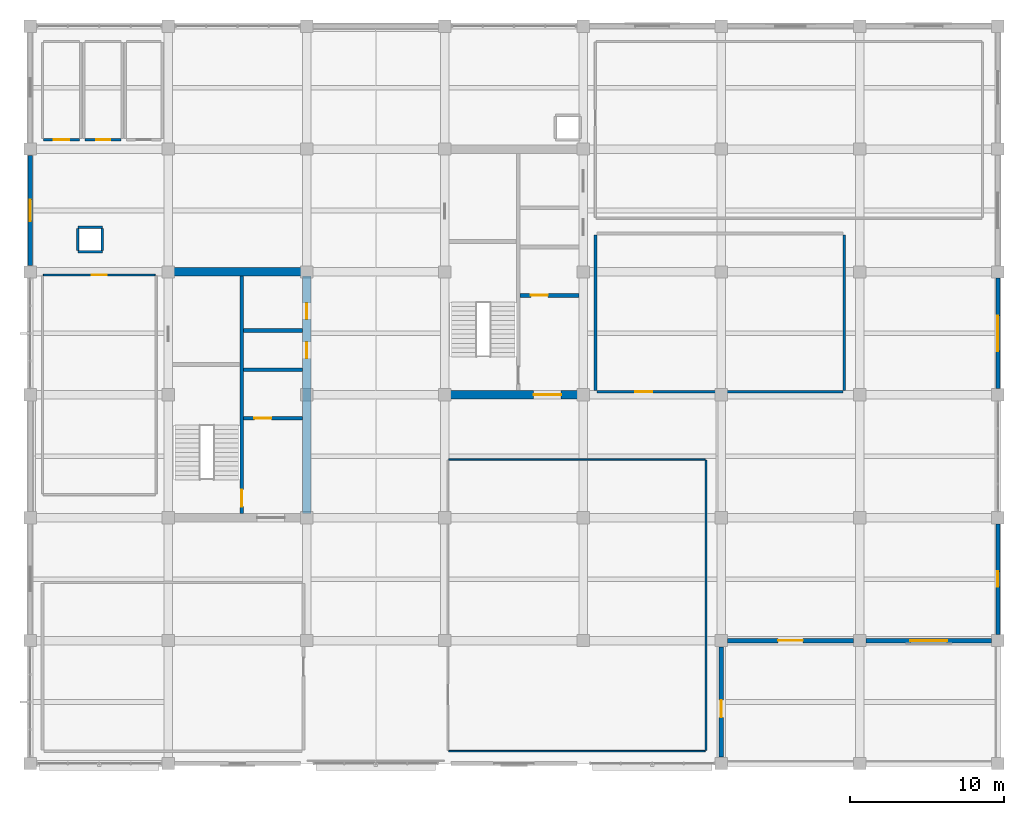
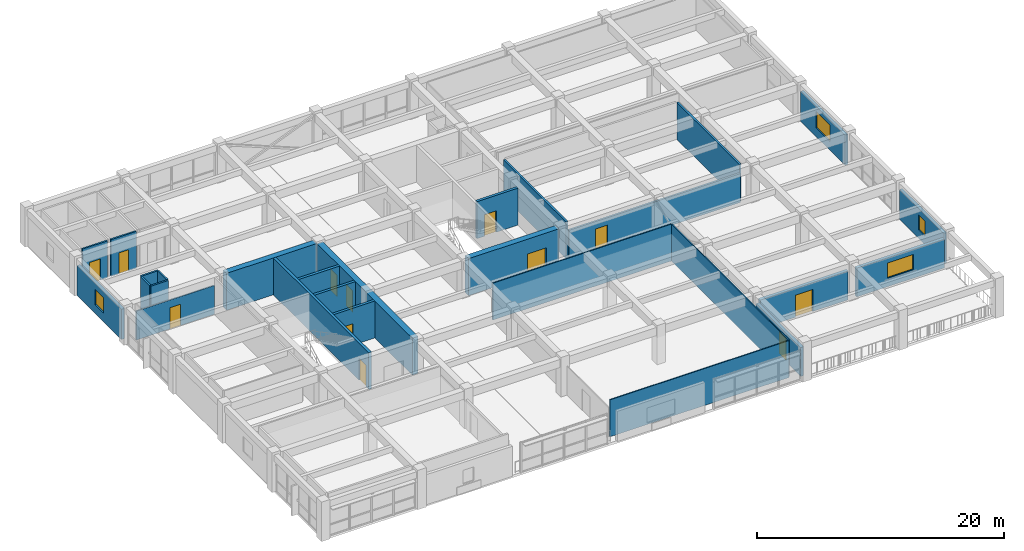
# One storey, part 13 of 17: 27 walls, 12 doors, 4 windows, 16 openings.
"""IFC4 building model written with IfcOpenShell, lengths in metres."""

from ifc_helpers import new_model, si_unit, direction, frame, frame_2d, origin, place, context, subcontext, project, spatial, rectangle, extrude, material, layer, layer_set, type_object, element, fill, save


model = new_model("IFC4")

# Units and contexts
model_context = context("Model", 3, precision=1e-05, world=origin(), true_north=direction((0.0, 1.0)))
body_context = subcontext(model_context, "Body", "Model", "MODEL_VIEW")
ifc_project = project(units=[si_unit("LENGTHUNIT", "METRE"), si_unit("AREAUNIT", "SQUARE_METRE"), si_unit("VOLUMEUNIT", "CUBIC_METRE"), si_unit("PLANEANGLEUNIT", "RADIAN"), si_unit("MASSUNIT", "GRAM", prefix="KILO")], contexts=[model_context])

# Site, building, storey
site_placement = place(None, origin())
site = spatial("IfcSite", under=ifc_project, at=site_placement, CompositionType="ELEMENT")
building_placement = place(site_placement, origin())
building = spatial("IfcBuilding", under=site, at=building_placement, Name="Zaverband Oceanarium and Marine Research Institute", CompositionType="ELEMENT")
storey_placement = place(building_placement, frame((0.0, 0.0, 33.60009765625)))
storey = spatial("IfcBuildingStorey", under=building, at=storey_placement, Name="L08", CompositionType="ELEMENT", Elevation=33.60009765625)

# Wall
ifc_material_1 = material(Name="Concrete C50/60", Category="concrete")
ifc_layer_1 = layer(ifc_material_1, 0.550048828125, Name="Concrete C50/60")
ifc_layer_set_1 = layer_set([ifc_layer_1], Name="Concrete C50/60")
wall_type_1 = type_object("IfcWallType", Name="CW-01", PredefinedType="SHEAR", material=ifc_layer_set_1)
wall_1_placement = place(storey_placement, frame((18.27490234375, 96.0, 0.0), z_axis=(0.0, 0.0, 1.0), x_axis=(1.0, 0.0, 0.0)))
element("IfcWall", 1, at=wall_1_placement, inside=storey, type_object=wall_type_1, Name="Structural shear wall CW-01", PredefinedType="SHEAR", context=body_context, shape_type="SweptSolid", body=[
    extrude(rectangle(XDim=8.4501953125, YDim=0.550048828125, at=frame_2d((4.22509765625, 0.0))), origin(), (0.0, 0.0, 1.0), 3.64990234375),
])

# Wall, openings, doors
wall_2_placement = place(storey_placement, frame((27.0, 80.27490234375, 0.0), z_axis=(0.0, 0.0, 1.0), x_axis=(0.0, 1.0, 0.0)))
wall_2 = element("IfcWall", 2, at=wall_2_placement, inside=storey, type_object=wall_type_1, Name="Structural shear wall CW-01", PredefinedType="SHEAR", context=body_context, shape_type="SweptSolid", body=[
    extrude(rectangle(XDim=15.4501953125, YDim=0.550048828125, at=frame_2d((7.72509765625, 0.0))), origin(), (0.0, 0.0, 1.0), 3.64990234375),
])
opening_1_placement = place(wall_2_placement, frame((10.10009765625, 0.0, 0.0)))
opening_1 = element("IfcOpeningElement", 3, at=opening_1_placement, cuts=wall_2, Name="Opening LD-02", PredefinedType="OPENING", context=body_context, shape_type="SweptSolid", body=[
    extrude(rectangle(XDim=1.050048828125, YDim=2.1201171875, at=frame_2d((0.52490234375, 1.06005859375))), frame((0.0, 0.287109375, 0.0), z_axis=(0.0, -1.0, 0.0), x_axis=(1.0, 0.0, 0.0)), (0.0, 0.0, 1.0), 0.573974609375),
])
opening_2_placement = place(wall_2_placement, frame((12.64990234375, 0.0, 0.0)))
opening_2 = element("IfcOpeningElement", 4, at=opening_2_placement, cuts=wall_2, Name="Opening LD-02", PredefinedType="OPENING", context=body_context, shape_type="SweptSolid", body=[
    extrude(rectangle(XDim=1.050048828125, YDim=2.1201171875, at=frame_2d((0.52490234375, 1.06005859375))), frame((0.0, 0.287109375, 0.0), z_axis=(0.0, -1.0, 0.0), x_axis=(1.0, 0.0, 0.0)), (0.0, 0.0, 1.0), 0.573974609375),
])
ifc_material_2 = material(Name="Steel S355", Category="steel")
door_type_1 = type_object("IfcDoorType", Name="LD-02", OperationType="DOUBLE_DOOR_SLIDING", PredefinedType="DOOR", material=ifc_material_2)
door_1_placement = place(opening_1_placement, origin())
door_1 = element("IfcDoor", 5, at=door_1_placement, inside=storey, type_object=door_type_1, Name="Passenger lift sliding landing door LD-02", OperationType="DOUBLE_DOOR_SLIDING", OverallHeight=2.1201171875, OverallWidth=1.050048828125, PredefinedType="DOOR", context=body_context, shape_type="SweptSolid", body=[
    extrude(rectangle(XDim=1.050048828125, YDim=2.1201171875, at=frame_2d((0.52490234375, 1.06005859375))), frame((0.0, 0.02490234375, 0.0), z_axis=(0.0, -1.0, 0.0), x_axis=(1.0, 0.0, 0.0)), (0.0, 0.0, 1.0), 0.050048828125),
])
fill(opening_1, door_1)
door_2_placement = place(opening_2_placement, origin())
door_2 = element("IfcDoor", 6, at=door_2_placement, inside=storey, type_object=door_type_1, Name="Passenger lift sliding landing door LD-02", OperationType="DOUBLE_DOOR_SLIDING", OverallHeight=2.1201171875, OverallWidth=1.050048828125, PredefinedType="DOOR", context=body_context, shape_type="SweptSolid", body=[
    extrude(rectangle(XDim=1.050048828125, YDim=2.1201171875, at=frame_2d((0.52490234375, 1.06005859375))), frame((0.0, 0.02490234375, 0.0), z_axis=(0.0, -1.0, 0.0), x_axis=(1.0, 0.0, 0.0)), (0.0, 0.0, 1.0), 0.050048828125),
])
fill(opening_2, door_2)

# Wall, opening, door
wall_3_placement = place(storey_placement, frame((36.27490234375, 88.0, 0.0), z_axis=(0.0, 0.0, 1.0), x_axis=(1.0, 0.0, 0.0)))
wall_3 = element("IfcWall", 7, at=wall_3_placement, inside=storey, type_object=wall_type_1, Name="Structural shear wall CW-01", PredefinedType="SHEAR", context=body_context, shape_type="SweptSolid", body=[
    extrude(rectangle(XDim=8.4501953125, YDim=0.550048828125, at=frame_2d((4.22509765625, 0.0))), origin(), (0.0, 0.0, 1.0), 3.64990234375),
])
opening_3_placement = place(wall_3_placement, frame((5.5, 0.0, 0.0)))
opening_3 = element("IfcOpeningElement", 8, at=opening_3_placement, cuts=wall_3, Name="Opening FD-02", PredefinedType="OPENING", context=body_context, shape_type="SweptSolid", body=[
    extrude(rectangle(XDim=1.800048828125, YDim=2.179931640625, at=frame_2d((0.89990234375, 1.08984375))), frame((0.0, 0.287109375, 0.0), z_axis=(0.0, -1.0, 0.0), x_axis=(1.0, 0.0, 0.0)), (0.0, 0.0, 1.0), 0.573974609375),
])
door_type_2 = type_object("IfcDoorType", Name="FD-02", OperationType="DOUBLE_DOOR_SINGLE_SWING", PredefinedType="DOOR", material=ifc_material_2)
door_3_placement = place(opening_3_placement, origin())
door_3 = element("IfcDoor", 9, at=door_3_placement, inside=storey, type_object=door_type_2, Name="Protected lobby double fire door FD-02", OperationType="DOUBLE_DOOR_SINGLE_SWING", OverallHeight=2.179931640625, OverallWidth=1.800048828125, PredefinedType="DOOR", context=body_context, shape_type="SweptSolid", body=[
    extrude(rectangle(XDim=1.800048828125, YDim=2.179931640625, at=frame_2d((0.89990234375, 1.08984375))), frame((0.0, 0.02490234375, 0.0), z_axis=(0.0, -1.0, 0.0), x_axis=(1.0, 0.0, 0.0)), (0.0, 0.0, 1.0), 0.050048828125),
])
fill(opening_3, door_3)

# Wall, opening, window
ifc_material_3 = material(Name="Concrete C40/50 precast", Category="concrete")
ifc_layer_2 = layer(ifc_material_3, 0.264892578125, Name="Concrete C40/50 precast")
ifc_layer_set_2 = layer_set([ifc_layer_2], Name="Concrete C40/50 precast")
wall_type_2 = type_object("IfcWallType", Name="EW-265", PredefinedType="STANDARD", material=ifc_layer_set_2)
wall_4_placement = place(storey_placement, frame((72.0, 72.405029296875, 0.0), z_axis=(0.0, 0.0, 1.0), x_axis=(0.0, 1.0, 0.0)))
wall_4 = element("IfcWall", 10, at=wall_4_placement, inside=storey, type_object=wall_type_2, Name="Exterior infill wall EW-265", PredefinedType="STANDARD", context=body_context, shape_type="SweptSolid", body=[
    extrude(rectangle(XDim=7.18994140625, YDim=0.264892578125, at=frame_2d((3.594970703125, 0.0))), origin(), (0.0, 0.0, 1.0), 2.97998046875),
])
opening_4_placement = place(wall_4_placement, frame((3.094970703125, 0.0, 0.85009765625)))
opening_4 = element("IfcOpeningElement", 11, at=opening_4_placement, cuts=wall_4, Name="Opening WN-1000x1500", PredefinedType="OPENING", context=body_context, shape_type="SweptSolid", body=[
    extrude(rectangle(XDim=1.0, YDim=1.5, at=frame_2d((0.5, 0.75))), frame((0.0, 0.14453125, 0.0), z_axis=(0.0, -1.0, 0.0), x_axis=(1.0, 0.0, 0.0)), (0.0, 0.0, 1.0), 0.288818359375),
])
ifc_material_4 = material(Name="Thermally broken anodized aluminium and solar-control glass", Category="aluminium")
window_type_1 = type_object("IfcWindowType", Name="WN-1000x1500", PartitioningType="SINGLE_PANEL", PredefinedType="WINDOW", material=ifc_material_4)
window_1_placement = place(opening_4_placement, origin())
window_1 = element("IfcWindow", 12, at=window_1_placement, inside=storey, type_object=window_type_1, Name="Fixed / casement exterior window WN-1000x1500", OverallHeight=1.5, OverallWidth=1.0, PartitioningType="SINGLE_PANEL", PredefinedType="WINDOW", context=body_context, shape_type="SweptSolid", body=[
    extrude(rectangle(XDim=1.0, YDim=1.5, at=frame_2d((0.5, 0.75))), frame((0.0, 0.030029296875, 0.0), z_axis=(0.0, -1.0, 0.0), x_axis=(1.0, 0.0, 0.0)), (0.0, 0.0, 1.0), 0.06005859375),
])
fill(opening_4, window_1)

wall_5_placement = place(storey_placement, frame((72.0, 88.405029296875, 0.0), z_axis=(0.0, 0.0, 1.0), x_axis=(0.0, 1.0, 0.0)))
wall_5 = element("IfcWall", 13, at=wall_5_placement, inside=storey, type_object=wall_type_2, Name="Exterior infill wall EW-265", PredefinedType="STANDARD", context=body_context, shape_type="SweptSolid", body=[
    extrude(rectangle(XDim=7.18994140625, YDim=0.264892578125, at=frame_2d((3.594970703125, 0.0))), origin(), (0.0, 0.0, 1.0), 2.97998046875),
])
opening_5_placement = place(wall_5_placement, frame((2.445068359375, 0.0, 0.85009765625)))
opening_5 = element("IfcOpeningElement", 14, at=opening_5_placement, cuts=wall_5, Name="Opening WN-2300x1650", PredefinedType="OPENING", context=body_context, shape_type="SweptSolid", body=[
    extrude(rectangle(XDim=2.300048828125, YDim=1.64990234375, at=frame_2d((1.14990234375, 0.824951171875))), frame((0.0, 0.14453125, 0.0), z_axis=(0.0, -1.0, 0.0), x_axis=(1.0, 0.0, 0.0)), (0.0, 0.0, 1.0), 0.288818359375),
])
window_type_2 = type_object("IfcWindowType", Name="WN-2300x1650", PartitioningType="SINGLE_PANEL", PredefinedType="WINDOW", material=ifc_material_4)
window_2_placement = place(opening_5_placement, origin())
window_2 = element("IfcWindow", 15, at=window_2_placement, inside=storey, type_object=window_type_2, Name="Fixed / casement exterior window WN-2300x1650", OverallHeight=1.64990234375, OverallWidth=2.300048828125, PartitioningType="SINGLE_PANEL", PredefinedType="WINDOW", context=body_context, shape_type="SweptSolid", body=[
    extrude(rectangle(XDim=2.300048828125, YDim=1.64990234375, at=frame_2d((1.14990234375, 0.824951171875))), frame((0.0, 0.030029296875, 0.0), z_axis=(0.0, -1.0, 0.0), x_axis=(1.0, 0.0, 0.0)), (0.0, 0.0, 1.0), 0.06005859375),
])
fill(opening_5, window_2)

# Wall, opening, door
ifc_layer_3 = layer(ifc_material_3, 0.2900390625, Name="Concrete C40/50 precast")
ifc_layer_set_3 = layer_set([ifc_layer_3], Name="Concrete C40/50 precast")
wall_type_3 = type_object("IfcWallType", Name="EW-290", PredefinedType="STANDARD", material=ifc_layer_set_3)
wall_6_placement = place(storey_placement, frame((54.405029296875, 72.0, 0.0), z_axis=(0.0, 0.0, 1.0), x_axis=(1.0, 0.0, 0.0)))
wall_6 = element("IfcWall", 16, at=wall_6_placement, inside=storey, type_object=wall_type_3, Name="Exterior infill wall EW-290", PredefinedType="STANDARD", context=body_context, shape_type="SweptSolid", body=[
    extrude(rectangle(XDim=8.18994140625, YDim=0.2900390625, at=frame_2d((4.094970703125, 0.0))), origin(), (0.0, 0.0, 1.0), 2.849853515625),
])
opening_6_placement = place(wall_6_placement, frame((3.294921875, 0.0, 0.0)))
opening_6 = element("IfcOpeningElement", 17, at=opening_6_placement, cuts=wall_6, Name="Opening TD-1600x2180", PredefinedType="OPENING", context=body_context, shape_type="SweptSolid", body=[
    extrude(rectangle(XDim=1.60009765625, YDim=2.179931640625, at=frame_2d((0.800048828125, 1.08984375))), frame((0.0, 0.156982421875, 0.0), z_axis=(0.0, -1.0, 0.0), x_axis=(1.0, 0.0, 0.0)), (0.0, 0.0, 1.0), 0.31396484375),
])
ifc_material_5 = material(Name="Thermally broken anodized aluminium and laminated glass", Category="aluminium")
door_type_3 = type_object("IfcDoorType", Name="TD-1600x2180", OperationType="DOUBLE_DOOR_SINGLE_SWING", PredefinedType="DOOR", material=ifc_material_5)
door_4_placement = place(opening_6_placement, frame((1.60009765625, 0.0, 0.0), z_axis=(0.0, 0.0, 1.0), x_axis=(-1.0, 0.0, 0.0)))
door_4 = element("IfcDoor", 18, at=door_4_placement, inside=storey, type_object=door_type_3, Name="Glazed double loggia door TD-1600x2180", OperationType="DOUBLE_DOOR_SINGLE_SWING", OverallHeight=2.179931640625, OverallWidth=1.60009765625, PredefinedType="DOOR", context=body_context, shape_type="SweptSolid", body=[
    extrude(rectangle(XDim=1.60009765625, YDim=2.179931640625, at=frame_2d((0.800048828125, 1.08984375))), frame((0.0, 0.02490234375, 0.0), z_axis=(0.0, -1.0, 0.0), x_axis=(1.0, 0.0, 0.0)), (0.0, 0.0, 1.0), 0.050048828125),
])
fill(opening_6, door_4)

# Wall, opening, window
wall_7_placement = place(storey_placement, frame((63.405029296875, 72.0, 0.0), z_axis=(0.0, 0.0, 1.0), x_axis=(1.0, 0.0, 0.0)))
wall_7 = element("IfcWall", 19, at=wall_7_placement, inside=storey, type_object=wall_type_3, Name="Exterior infill wall EW-290", PredefinedType="STANDARD", context=body_context, shape_type="SweptSolid", body=[
    extrude(rectangle(XDim=8.18994140625, YDim=0.2900390625, at=frame_2d((4.094970703125, 0.0))), origin(), (0.0, 0.0, 1.0), 2.849853515625),
])
opening_7_placement = place(wall_7_placement, frame((2.89501953125, 0.0, 0.85009765625)))
opening_7 = element("IfcOpeningElement", 20, at=opening_7_placement, cuts=wall_7, Name="Opening WN-2400x1500", PredefinedType="OPENING", context=body_context, shape_type="SweptSolid", body=[
    extrude(rectangle(XDim=2.39990234375, YDim=1.5, at=frame_2d((1.199951171875, 0.75))), frame((0.0, 0.156982421875, 0.0), z_axis=(0.0, -1.0, 0.0), x_axis=(1.0, 0.0, 0.0)), (0.0, 0.0, 1.0), 0.31396484375),
])
window_type_3 = type_object("IfcWindowType", Name="WN-2400x1500", PartitioningType="SINGLE_PANEL", PredefinedType="WINDOW", material=ifc_material_4)
window_3_placement = place(opening_7_placement, origin())
window_3 = element("IfcWindow", 21, at=window_3_placement, inside=storey, type_object=window_type_3, Name="Fixed / casement exterior window WN-2400x1500", OverallHeight=1.5, OverallWidth=2.39990234375, PartitioningType="SINGLE_PANEL", PredefinedType="WINDOW", context=body_context, shape_type="SweptSolid", body=[
    extrude(rectangle(XDim=2.39990234375, YDim=1.5, at=frame_2d((1.199951171875, 0.75))), frame((0.0, 0.030029296875, 0.0), z_axis=(0.0, -1.0, 0.0), x_axis=(1.0, 0.0, 0.0)), (0.0, 0.0, 1.0), 0.06005859375),
])
fill(opening_7, window_3)

# Wall, opening, door
wall_8_placement = place(storey_placement, frame((54.0, 64.405029296875, 0.0), z_axis=(0.0, 0.0, 1.0), x_axis=(0.0, 1.0, 0.0)))
wall_8 = element("IfcWall", 22, at=wall_8_placement, inside=storey, type_object=wall_type_3, Name="Exterior infill wall EW-290", PredefinedType="STANDARD", context=body_context, shape_type="SweptSolid", body=[
    extrude(rectangle(XDim=7.18994140625, YDim=0.2900390625, at=frame_2d((3.594970703125, 0.0))), origin(), (0.0, 0.0, 1.0), 2.849853515625),
])
opening_8_placement = place(wall_8_placement, frame((2.60009765625, 0.0, 0.0)))
opening_8 = element("IfcOpeningElement", 23, at=opening_8_placement, cuts=wall_8, Name="Opening TD-1120x2150", PredefinedType="OPENING", context=body_context, shape_type="SweptSolid", body=[
    extrude(rectangle(XDim=1.1201171875, YDim=2.14990234375, at=frame_2d((0.56005859375, 1.074951171875))), frame((0.0, 0.156982421875, 0.0), z_axis=(0.0, -1.0, 0.0), x_axis=(1.0, 0.0, 0.0)), (0.0, 0.0, 1.0), 0.31396484375),
])
door_type_4 = type_object("IfcDoorType", Name="TD-1120x2150", OperationType="NOTDEFINED", PredefinedType="DOOR", material=ifc_material_5)
door_5_placement = place(opening_8_placement, frame((1.1201171875, 0.0, 0.0), z_axis=(0.0, 0.0, 1.0), x_axis=(-1.0, 0.0, 0.0)))
door_5 = element("IfcDoor", 24, at=door_5_placement, inside=storey, type_object=door_type_4, Name="Glazed single terrace door TD-1120x2150", OperationType="SINGLE_SWING_LEFT", OverallHeight=2.14990234375, OverallWidth=1.1201171875, PredefinedType="DOOR", context=body_context, shape_type="SweptSolid", body=[
    extrude(rectangle(XDim=1.1201171875, YDim=2.14990234375, at=frame_2d((0.56005859375, 1.074951171875))), frame((0.0, 0.02490234375, 0.0), z_axis=(0.0, -1.0, 0.0), x_axis=(1.0, 0.0, 0.0)), (0.0, 0.0, 1.0), 0.050048828125),
])
fill(opening_8, door_5)

# Wall, opening, window
wall_9_placement = place(storey_placement, frame((9.0, 96.405029296875, 0.0), z_axis=(0.0, 0.0, 1.0), x_axis=(0.0, 1.0, 0.0)))
wall_9 = element("IfcWall", 25, at=wall_9_placement, inside=storey, type_object=wall_type_3, Name="Exterior infill wall EW-290", PredefinedType="STANDARD", context=body_context, shape_type="SweptSolid", body=[
    extrude(rectangle(XDim=7.18994140625, YDim=0.2900390625, at=frame_2d((3.594970703125, 0.0))), origin(), (0.0, 0.0, 1.0), 2.97998046875),
])
opening_9_placement = place(wall_9_placement, frame((2.89501953125, 0.0, 0.85009765625)))
opening_9 = element("IfcOpeningElement", 26, at=opening_9_placement, cuts=wall_9, Name="Opening WN-1400x1500", PredefinedType="OPENING", context=body_context, shape_type="SweptSolid", body=[
    extrude(rectangle(XDim=1.39990234375, YDim=1.5, at=frame_2d((0.699951171875, 0.75))), frame((0.0, 0.156982421875, 0.0), z_axis=(0.0, -1.0, 0.0), x_axis=(1.0, 0.0, 0.0)), (0.0, 0.0, 1.0), 0.31396484375),
])
window_type_4 = type_object("IfcWindowType", Name="WN-1400x1500", PartitioningType="SINGLE_PANEL", PredefinedType="WINDOW", material=ifc_material_4)
window_4_placement = place(opening_9_placement, origin())
window_4 = element("IfcWindow", 27, at=window_4_placement, inside=storey, type_object=window_type_4, Name="Fixed / casement exterior window WN-1400x1500", OverallHeight=1.5, OverallWidth=1.39990234375, PartitioningType="SINGLE_PANEL", PredefinedType="WINDOW", context=body_context, shape_type="SweptSolid", body=[
    extrude(rectangle(XDim=1.39990234375, YDim=1.5, at=frame_2d((0.699951171875, 0.75))), frame((0.0, 0.030029296875, 0.0), z_axis=(0.0, -1.0, 0.0), x_axis=(1.0, 0.0, 0.0)), (0.0, 0.0, 1.0), 0.06005859375),
])
fill(opening_9, window_4)

# Walls
ifc_material_6 = material(Name="Framed fire-rated glass laboratory partition", Category="glass")
ifc_layer_4 = layer(ifc_material_6, 0.10009765625, Name="Framed fire-rated glass laboratory partition")
ifc_layer_set_4 = layer_set([ifc_layer_4], Name="Framed fire-rated glass laboratory partition")
wall_type_4 = type_object("IfcWallType", Name="PT-100-GL", PredefinedType="PARTITIONING", material=ifc_layer_set_4)
for number, where, z_axis, x_axis, name in (
    (28, (36.25, 64.800048828125, 0.0), (0.0, 0.0, 1.0), (1.0, 0.0, 0.0), "Internal partition PT-100-GL"),
    (29, (36.25, 83.800048828125, 0.0), (0.0, 0.0, 1.0), (1.0, 0.0, 0.0), "Internal partition PT-100-GL"),
):
    element("IfcWall", number, at=place(storey_placement, frame(where, z_axis=z_axis, x_axis=x_axis)), inside=storey, type_object=wall_type_4, Name=name, PredefinedType="PARTITIONING", context=body_context, shape_type="SweptSolid", body=[
        extrude(rectangle(XDim=16.699951171875, YDim=0.10009765625, at=frame_2d((8.35009765625, 0.0))), origin(), (0.0, 0.0, 1.0), 3.64990234375),
    ])
wall_10_placement = place(storey_placement, frame((53.0, 64.85009765625, 0.0), z_axis=(0.0, 0.0, 1.0), x_axis=(0.0, 1.0, 0.0)))
element("IfcWall", 30, at=wall_10_placement, inside=storey, type_object=wall_type_4, Name="Internal partition PT-100-GL", PredefinedType="PARTITIONING", context=body_context, shape_type="SweptSolid", body=[
    extrude(rectangle(XDim=18.89990234375, YDim=0.10009765625, at=frame_2d((9.449951171875, 0.0))), origin(), (0.0, 0.0, 1.0), 3.64990234375),
])

# Wall, opening, door
ifc_material_7 = material(Name="Insulated metal-stud office partition")
ifc_layer_5 = layer(ifc_material_7, 0.1201171875, Name="Insulated metal-stud office partition")
ifc_layer_set_5 = layer_set([ifc_layer_5], Name="Insulated metal-stud office partition")
wall_type_5 = type_object("IfcWallType", Name="PT-120-OF", PredefinedType="PARTITIONING", material=ifc_layer_set_5)
wall_11_placement = place(storey_placement, frame((9.860107421875, 95.800048828125, 0.0), z_axis=(0.0, 0.0, 1.0), x_axis=(1.0, 0.0, 0.0)))
wall_11 = element("IfcWall", 31, at=wall_11_placement, inside=storey, type_object=wall_type_5, Name="Internal partition PT-120-OF", PredefinedType="PARTITIONING", context=body_context, shape_type="SweptSolid", body=[
    extrude(rectangle(XDim=7.27978515625, YDim=0.1201171875, at=frame_2d((3.639892578125, 0.0))), origin(), (0.0, 0.0, 1.0), 2.849853515625),
])
opening_10_placement = place(wall_11_placement, frame((3.14501953125, 0.0, 0.0)))
opening_10 = element("IfcOpeningElement", 32, at=opening_10_placement, cuts=wall_11, Name="Opening ID-990x2100", PredefinedType="OPENING", context=body_context, shape_type="SweptSolid", body=[
    extrude(rectangle(XDim=0.989990234375, YDim=2.10009765625, at=frame_2d((0.4951171875, 1.050048828125))), frame((0.0, 0.072021484375, 0.0), z_axis=(0.0, -1.0, 0.0), x_axis=(1.0, 0.0, 0.0)), (0.0, 0.0, 1.0), 0.14404296875),
])
ifc_material_8 = material(Name="Hardwood-veneered acoustic timber", Category="wood")
door_type_5 = type_object("IfcDoorType", Name="ID-990x2100", OperationType="NOTDEFINED", PredefinedType="DOOR", material=ifc_material_8)
door_6_placement = place(opening_10_placement, origin())
door_6 = element("IfcDoor", 33, at=door_6_placement, inside=storey, type_object=door_type_5, Name="Senior fellow office door ID-990x2100", OperationType="SINGLE_SWING_LEFT", OverallHeight=2.10009765625, OverallWidth=0.989990234375, PredefinedType="DOOR", context=body_context, shape_type="SweptSolid", body=[
    extrude(rectangle(XDim=0.989990234375, YDim=2.10009765625, at=frame_2d((0.4951171875, 1.050048828125))), frame((0.0, 0.02490234375, 0.0), z_axis=(0.0, -1.0, 0.0), x_axis=(1.0, 0.0, 0.0)), (0.0, 0.0, 1.0), 0.050048828125),
])
fill(opening_10, door_6)

ifc_material_9 = material(Name="Ceramic-tiled wet-room blockwork", Category="masonry")
ifc_layer_6 = layer(ifc_material_9, 0.14990234375, Name="Ceramic-tiled wet-room blockwork")
ifc_layer_set_6 = layer_set([ifc_layer_6], Name="Ceramic-tiled wet-room blockwork")
wall_type_6 = type_object("IfcWallType", Name="PT-150-WC", PredefinedType="PARTITIONING", material=ifc_layer_set_6)
wall_12_placement = place(storey_placement, frame((9.875, 104.60009765625, 0.0), z_axis=(0.0, 0.0, 1.0), x_axis=(1.0, 0.0, 0.0)))
wall_12 = element("IfcWall", 34, at=wall_12_placement, inside=storey, type_object=wall_type_6, Name="Internal partition PT-150-WC", PredefinedType="PARTITIONING", context=body_context, shape_type="SweptSolid", body=[
    extrude(rectangle(XDim=2.35009765625, YDim=0.14990234375, at=frame_2d((1.175048828125, 0.0))), origin(), (0.0, 0.0, 1.0), 3.64990234375),
])
opening_11_placement = place(wall_12_placement, frame((0.6650390625, 0.0, 0.0)))
opening_11 = element("IfcOpeningElement", 35, at=opening_11_placement, cuts=wall_12, Name="Opening ID-1020x2100", PredefinedType="OPENING", context=body_context, shape_type="SweptSolid", body=[
    extrude(rectangle(XDim=1.02001953125, YDim=2.10009765625, at=frame_2d((0.510009765625, 1.050048828125))), frame((0.0, 0.0869140625, 0.0), z_axis=(0.0, -1.0, 0.0), x_axis=(1.0, 0.0, 0.0)), (0.0, 0.0, 1.0), 0.173828125),
])
door_type_6 = type_object("IfcDoorType", Name="ID-1020x2100", OperationType="NOTDEFINED", PredefinedType="DOOR", material=ifc_material_8)
door_7_placement = place(opening_11_placement, frame((1.02001953125, 0.0, 0.0), z_axis=(0.0, 0.0, 1.0), x_axis=(-1.0, 0.0, 0.0)))
door_7 = element("IfcDoor", 36, at=door_7_placement, inside=storey, type_object=door_type_6, Name="Accessible WC outward-swing door ID-1020x2100", OperationType="SINGLE_SWING_LEFT", OverallHeight=2.10009765625, OverallWidth=1.02001953125, PredefinedType="DOOR", context=body_context, shape_type="SweptSolid", body=[
    extrude(rectangle(XDim=1.02001953125, YDim=2.10009765625, at=frame_2d((0.510009765625, 1.050048828125))), frame((0.0, 0.02490234375, 0.0), z_axis=(0.0, -1.0, 0.0), x_axis=(1.0, 0.0, 0.0)), (0.0, 0.0, 1.0), 0.050048828125),
])
fill(opening_11, door_7)

wall_13_placement = place(storey_placement, frame((12.574951171875, 104.60009765625, 0.0), z_axis=(0.0, 0.0, 1.0), x_axis=(1.0, 0.0, 0.0)))
wall_13 = element("IfcWall", 37, at=wall_13_placement, inside=storey, type_object=wall_type_6, Name="Internal partition PT-150-WC", PredefinedType="PARTITIONING", context=body_context, shape_type="SweptSolid", body=[
    extrude(rectangle(XDim=2.35009765625, YDim=0.14990234375, at=frame_2d((1.175048828125, 0.0))), origin(), (0.0, 0.0, 1.0), 3.64990234375),
])
opening_12_placement = place(wall_13_placement, frame((0.719970703125, 0.0, 0.0)))
opening_12 = element("IfcOpeningElement", 38, at=opening_12_placement, cuts=wall_13, Name="Opening ID-910x2080", PredefinedType="OPENING", context=body_context, shape_type="SweptSolid", body=[
    extrude(rectangle(XDim=0.909912109375, YDim=2.080078125, at=frame_2d((0.455078125, 1.0400390625))), frame((0.0, 0.0869140625, 0.0), z_axis=(0.0, -1.0, 0.0), x_axis=(1.0, 0.0, 0.0)), (0.0, 0.0, 1.0), 0.173828125),
])
door_type_7 = type_object("IfcDoorType", Name="ID-910x2080", OperationType="NOTDEFINED", PredefinedType="DOOR", material=ifc_material_8)
door_8_placement = place(opening_12_placement, origin())
door_8 = element("IfcDoor", 39, at=door_8_placement, inside=storey, type_object=door_type_7, Name="Sanitary washroom entrance door ID-910x2080", OperationType="SINGLE_SWING_RIGHT", OverallHeight=2.080078125, OverallWidth=0.909912109375, PredefinedType="DOOR", context=body_context, shape_type="SweptSolid", body=[
    extrude(rectangle(XDim=0.909912109375, YDim=2.080078125, at=frame_2d((0.455078125, 1.0400390625))), frame((0.0, 0.02490234375, 0.0), z_axis=(0.0, -1.0, 0.0), x_axis=(1.0, 0.0, 0.0)), (0.0, 0.0, 1.0), 0.050048828125),
])
fill(opening_12, door_8)

# Walls
ifc_material_10 = material(Name="Corridor rated drywall partition")
ifc_layer_7 = layer(ifc_material_10, 0.1650390625, Name="Corridor rated drywall partition")
ifc_layer_set_7 = layer_set([ifc_layer_7], Name="Corridor rated drywall partition")
wall_type_7 = type_object("IfcWallType", Name="PT-165-CR", PredefinedType="PARTITIONING", material=ifc_layer_set_7)
for number, where, z_axis, x_axis, name in (
    (40, (12.10009765625, 97.300048828125, 0.0), (0.0, 0.0, 1.0), (1.0, 0.0, 0.0), "Internal partition PT-165-CR"),
    (41, (12.10009765625, 98.89990234375, 0.0), (0.0, 0.0, 1.0), (1.0, 0.0, 0.0), "Internal partition PT-165-CR"),
):
    element("IfcWall", number, at=place(storey_placement, frame(where, z_axis=z_axis, x_axis=x_axis)), inside=storey, type_object=wall_type_7, Name=name, PredefinedType="PARTITIONING", context=body_context, shape_type="SweptSolid", body=[
        extrude(rectangle(XDim=1.599853515625, YDim=0.1650390625, at=frame_2d((0.7998046875, 0.0))), origin(), (0.0, 0.0, 1.0), 3.64990234375),
    ])
for number, where, z_axis, x_axis, name in (
    (42, (12.10009765625, 97.3798828125, 0.0), (0.0, 0.0, 1.0), (0.0, 1.0, 0.0), "Internal partition PT-165-CR"),
    (43, (13.699951171875, 97.3798828125, 0.0), (0.0, 0.0, 1.0), (0.0, 1.0, 0.0), "Internal partition PT-165-CR"),
):
    element("IfcWall", number, at=place(storey_placement, frame(where, z_axis=z_axis, x_axis=x_axis)), inside=storey, type_object=wall_type_7, Name=name, PredefinedType="PARTITIONING", context=body_context, shape_type="SweptSolid", body=[
        extrude(rectangle(XDim=1.440185546875, YDim=0.1650390625, at=frame_2d((0.72021484375, 0.0))), origin(), (0.0, 0.0, 1.0), 3.64990234375),
    ])

# Wall, opening, door
ifc_material_11 = material(Name="Moisture-resistant laboratory blockwork", Category="masonry")
ifc_layer_8 = layer(ifc_material_11, 0.179931640625, Name="Moisture-resistant laboratory blockwork")
ifc_layer_set_8 = layer_set([ifc_layer_8], Name="Moisture-resistant laboratory blockwork")
wall_type_8 = type_object("IfcWallType", Name="PT-180-LB", PredefinedType="PARTITIONING", material=ifc_layer_set_8)
wall_14_placement = place(storey_placement, frame((45.889892578125, 88.199951171875, 0.0), z_axis=(0.0, 0.0, 1.0), x_axis=(1.0, 0.0, 0.0)))
wall_14 = element("IfcWall", 44, at=wall_14_placement, inside=storey, type_object=wall_type_8, Name="Internal partition PT-180-LB", PredefinedType="PARTITIONING", context=body_context, shape_type="SweptSolid", body=[
    extrude(rectangle(XDim=16.02001953125, YDim=0.179931640625, at=frame_2d((8.010009765625, 0.0))), origin(), (0.0, 0.0, 1.0), 2.849853515625),
])
opening_13_placement = place(wall_14_placement, frame((2.5, 0.0, 0.0)))
opening_13 = element("IfcOpeningElement", 45, at=opening_13_placement, cuts=wall_14, Name="Opening ID-1100x2120", PredefinedType="OPENING", context=body_context, shape_type="SweptSolid", body=[
    extrude(rectangle(XDim=1.10009765625, YDim=2.1201171875, at=frame_2d((0.550048828125, 1.06005859375))), frame((0.0, 0.10205078125, 0.0), z_axis=(0.0, -1.0, 0.0), x_axis=(1.0, 0.0, 0.0)), (0.0, 0.0, 1.0), 0.203857421875),
])
door_type_8 = type_object("IfcDoorType", Name="ID-1100x2120", OperationType="NOTDEFINED", PredefinedType="DOOR", material=ifc_material_8)
door_9_placement = place(opening_13_placement, origin())
door_9 = element("IfcDoor", 46, at=door_9_placement, inside=storey, type_object=door_type_8, Name="Telemetry laboratory door ID-1100x2120", OperationType="SINGLE_SWING_LEFT", OverallHeight=2.1201171875, OverallWidth=1.10009765625, PredefinedType="DOOR", context=body_context, shape_type="SweptSolid", body=[
    extrude(rectangle(XDim=1.10009765625, YDim=2.1201171875, at=frame_2d((0.550048828125, 1.06005859375))), frame((0.0, 0.02490234375, 0.0), z_axis=(0.0, -1.0, 0.0), x_axis=(1.0, 0.0, 0.0)), (0.0, 0.0, 1.0), 0.050048828125),
])
fill(opening_13, door_9)

# Walls
for number, where, z_axis, x_axis, name in (
    (47, (45.800048828125, 88.2900390625, 0.0), (0.0, 0.0, 1.0), (0.0, 1.0, 0.0), "Internal partition PT-180-LB"),
    (48, (62.0, 88.2900390625, 0.0), (0.0, 0.0, 1.0), (0.0, 1.0, 0.0), "Internal partition PT-180-LB"),
):
    element("IfcWall", number, at=place(storey_placement, frame(where, z_axis=z_axis, x_axis=x_axis)), inside=storey, type_object=wall_type_8, Name=name, PredefinedType="PARTITIONING", context=body_context, shape_type="SweptSolid", body=[
        extrude(rectangle(XDim=10.119873046875, YDim=0.179931640625, at=frame_2d((5.06005859375, 0.0))), origin(), (0.0, 0.0, 1.0), 3.64990234375),
    ])

# Wall, opening, door
ifc_layer_9 = layer(ifc_material_1, 0.25, Name="Concrete C50/60")
ifc_layer_set_9 = layer_set([ifc_layer_9], Name="Concrete C50/60")
wall_type_9 = type_object("IfcWallType", Name="PW-CORE-250", PredefinedType="SOLIDWALL", material=ifc_layer_set_9)
wall_15_placement = place(storey_placement, frame((22.77490234375, 80.27490234375, 0.0), z_axis=(0.0, 0.0, 1.0), x_axis=(0.0, 1.0, 0.0)))
wall_15 = element("IfcWall", 49, at=wall_15_placement, inside=storey, type_object=wall_type_9, Name="Structural concrete wall PW-CORE-250", PredefinedType="SOLIDWALL", context=body_context, shape_type="SweptSolid", body=[
    extrude(rectangle(XDim=15.4501953125, YDim=0.25, at=frame_2d((7.72509765625, 0.0))), origin(), (0.0, 0.0, 1.0), 3.64990234375),
])
opening_14_placement = place(wall_15_placement, frame((0.449951171875, 0.0, 0.0)))
opening_14 = element("IfcOpeningElement", 50, at=opening_14_placement, cuts=wall_15, Name="Opening FD-01", PredefinedType="OPENING", context=body_context, shape_type="SweptSolid", body=[
    extrude(rectangle(XDim=1.10009765625, YDim=2.14990234375, at=frame_2d((0.550048828125, 1.074951171875))), frame((0.0, 0.136962890625, 0.0), z_axis=(0.0, -1.0, 0.0), x_axis=(1.0, 0.0, 0.0)), (0.0, 0.0, 1.0), 0.27392578125),
])
door_type_9 = type_object("IfcDoorType", Name="FD-01", OperationType="NOTDEFINED", PredefinedType="DOOR", material=ifc_material_2)
door_10_placement = place(opening_14_placement, origin())
door_10 = element("IfcDoor", 51, at=door_10_placement, inside=storey, type_object=door_type_9, Name="Core stair / lobby fire door FD-01", OperationType="SINGLE_SWING_LEFT", OverallHeight=2.14990234375, OverallWidth=1.10009765625, PredefinedType="DOOR", context=body_context, shape_type="SweptSolid", body=[
    extrude(rectangle(XDim=1.10009765625, YDim=2.14990234375, at=frame_2d((0.550048828125, 1.074951171875))), frame((0.0, 0.02490234375, 0.0), z_axis=(0.0, -1.0, 0.0), x_axis=(1.0, 0.0, 0.0)), (0.0, 0.0, 1.0), 0.050048828125),
])
fill(opening_14, door_10)

wall_16_placement = place(storey_placement, frame((22.905029296875, 86.47509765625, 0.0), z_axis=(0.0, 0.0, 1.0), x_axis=(1.0, 0.0, 0.0)))
wall_16 = element("IfcWall", 52, at=wall_16_placement, inside=storey, type_object=wall_type_9, Name="Structural concrete wall PW-CORE-250", PredefinedType="SOLIDWALL", context=body_context, shape_type="SweptSolid", body=[
    extrude(rectangle(XDim=3.820068359375, YDim=0.25, at=frame_2d((1.91015625, 0.0))), origin(), (0.0, 0.0, 1.0), 3.64990234375),
])
opening_15_placement = place(wall_16_placement, frame((0.695068359375, 0.0, 0.0)))
opening_15 = element("IfcOpeningElement", 53, at=opening_15_placement, cuts=wall_16, Name="Opening LD-01", PredefinedType="OPENING", context=body_context, shape_type="SweptSolid", body=[
    extrude(rectangle(XDim=1.10009765625, YDim=2.1201171875, at=frame_2d((0.550048828125, 1.06005859375))), frame((0.0, 0.136962890625, 0.0), z_axis=(0.0, -1.0, 0.0), x_axis=(1.0, 0.0, 0.0)), (0.0, 0.0, 1.0), 0.27392578125),
])
door_type_10 = type_object("IfcDoorType", Name="LD-01", OperationType="DOUBLE_DOOR_SLIDING", PredefinedType="DOOR", material=ifc_material_2)
door_11_placement = place(opening_15_placement, origin())
door_11 = element("IfcDoor", 54, at=door_11_placement, inside=storey, type_object=door_type_10, Name="Firefighting lift sliding landing door LD-01", OperationType="DOUBLE_DOOR_SLIDING", OverallHeight=2.1201171875, OverallWidth=1.10009765625, PredefinedType="DOOR", context=body_context, shape_type="SweptSolid", body=[
    extrude(rectangle(XDim=1.10009765625, YDim=2.1201171875, at=frame_2d((0.550048828125, 1.06005859375))), frame((0.0, 0.02490234375, 0.0), z_axis=(0.0, -1.0, 0.0), x_axis=(1.0, 0.0, 0.0)), (0.0, 0.0, 1.0), 0.050048828125),
])
fill(opening_15, door_11)

# Walls
for number, where, z_axis, x_axis, name in (
    (55, (22.905029296875, 89.6298828125, 0.0), (0.0, 0.0, 1.0), (1.0, 0.0, 0.0), "Structural concrete wall PW-CORE-250"),
    (56, (22.905029296875, 92.179931640625, 0.0), (0.0, 0.0, 1.0), (1.0, 0.0, 0.0), "Structural concrete wall PW-CORE-250"),
):
    element("IfcWall", number, at=place(storey_placement, frame(where, z_axis=z_axis, x_axis=x_axis)), inside=storey, type_object=wall_type_9, Name=name, PredefinedType="SOLIDWALL", context=body_context, shape_type="SweptSolid", body=[
        extrude(rectangle(XDim=3.820068359375, YDim=0.25, at=frame_2d((1.91015625, 0.0))), origin(), (0.0, 0.0, 1.0), 3.64990234375),
    ])

# Wall, opening, door
wall_17_placement = place(storey_placement, frame((40.905029296875, 94.47509765625, 0.0), z_axis=(0.0, 0.0, 1.0), x_axis=(1.0, 0.0, 0.0)))
wall_17 = element("IfcWall", 57, at=wall_17_placement, inside=storey, type_object=wall_type_9, Name="Structural concrete wall PW-CORE-250", PredefinedType="SOLIDWALL", context=body_context, shape_type="SweptSolid", body=[
    extrude(rectangle(XDim=3.820068359375, YDim=0.25, at=frame_2d((1.91015625, 0.0))), origin(), (0.0, 0.0, 1.0), 3.64990234375),
])
opening_16_placement = place(wall_17_placement, frame((0.695068359375, 0.0, 0.0)))
opening_16 = element("IfcOpeningElement", 58, at=opening_16_placement, cuts=wall_17, Name="Opening LD-01", PredefinedType="OPENING", context=body_context, shape_type="SweptSolid", body=[
    extrude(rectangle(XDim=1.10009765625, YDim=2.1201171875, at=frame_2d((0.550048828125, 1.06005859375))), frame((0.0, 0.136962890625, 0.0), z_axis=(0.0, -1.0, 0.0), x_axis=(1.0, 0.0, 0.0)), (0.0, 0.0, 1.0), 0.27392578125),
])
door_12_placement = place(opening_16_placement, origin())
door_12 = element("IfcDoor", 59, at=door_12_placement, inside=storey, type_object=door_type_10, Name="Firefighting lift sliding landing door LD-01", OperationType="DOUBLE_DOOR_SLIDING", OverallHeight=2.1201171875, OverallWidth=1.10009765625, PredefinedType="DOOR", context=body_context, shape_type="SweptSolid", body=[
    extrude(rectangle(XDim=1.10009765625, YDim=2.1201171875, at=frame_2d((0.550048828125, 1.06005859375))), frame((0.0, 0.02490234375, 0.0), z_axis=(0.0, -1.0, 0.0), x_axis=(1.0, 0.0, 0.0)), (0.0, 0.0, 1.0), 0.050048828125),
])
fill(opening_16, door_12)

save(model, "model.ifc")
